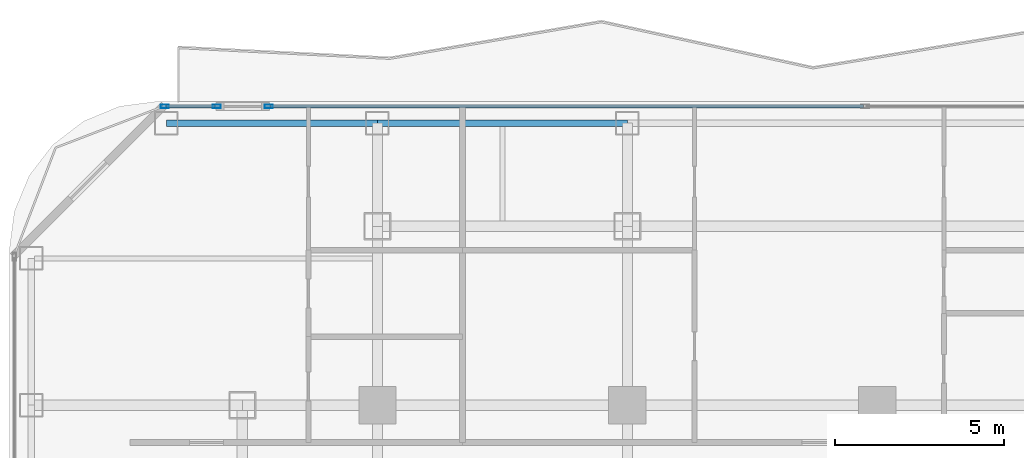
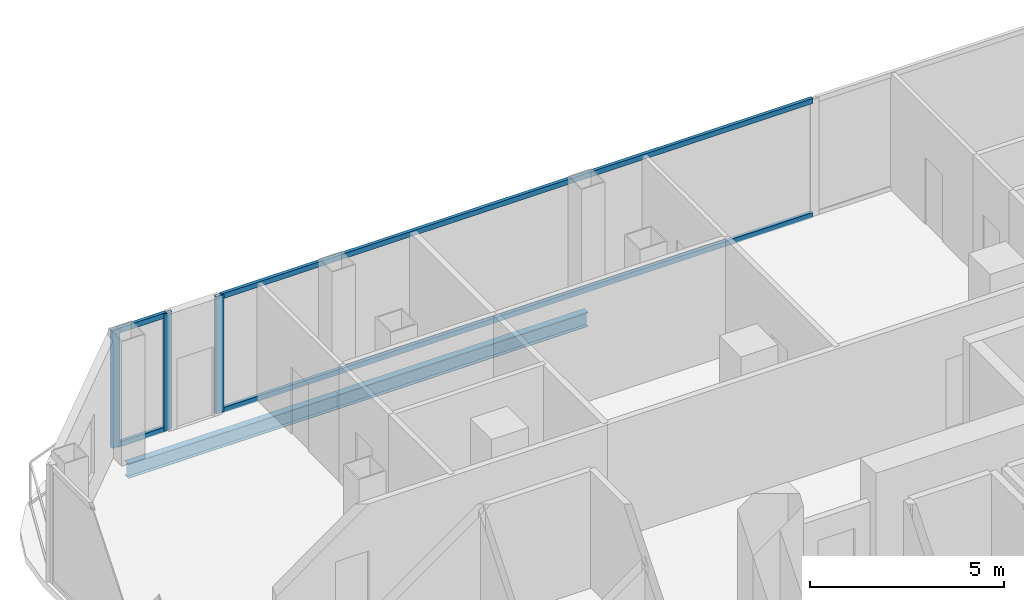
# One storey, part 13 of 26: 7 members, 2 beams, 2 elements without a shape of their own.
"""IFC4 building model written with IfcOpenShell, lengths in metres."""

from ifc_helpers import new_model, si_unit, direction, frame, origin, origin_2d, place, context, subcontext, project, spatial, hollow_rectangle, i_section, extrude, material, layer, layer_set, material_profile, profile_set, type_object, element, aggregate, save


model = new_model("IFC4")

# Units and contexts
model_context = context("Model", 3, precision=1e-05, world=origin(), true_north=direction((0.0, 1.0)))
body_context = subcontext(model_context, "Body", "Model", "MODEL_VIEW")
ifc_project = project(units=[si_unit("LENGTHUNIT", "METRE"), si_unit("AREAUNIT", "SQUARE_METRE"), si_unit("VOLUMEUNIT", "CUBIC_METRE"), si_unit("PLANEANGLEUNIT", "RADIAN"), si_unit("MASSUNIT", "GRAM", prefix="KILO")], contexts=[model_context])

# Site, building, storey
site_placement = place(None, origin())
site = spatial("IfcSite", under=ifc_project, at=site_placement, CompositionType="ELEMENT")
building_placement = place(site_placement, origin())
building = spatial("IfcBuilding", under=site, at=building_placement, Name="Khorvyn Point Tower", CompositionType="ELEMENT")
storey_placement = place(building_placement, frame((0.0, 0.0, 183.60009765625)))
storey = spatial("IfcBuildingStorey", under=building, at=storey_placement, Name="L45", CompositionType="ELEMENT", Elevation=183.60009765625)

# Curtain wall, members
ifc_material_1 = material(Name="Anodised aluminium 6063-T6 and laminated Low-E glass", Category="aluminium")
ifc_layer = layer(ifc_material_1, 0.18994140625)
ifc_layer_set = layer_set([ifc_layer], Name="Stick-Built Acoustic Curtain Wall CW-SYS-03")
curtain_wall_type = type_object("IfcCurtainWallType", Name="Stick-Built Acoustic Curtain Wall CW-SYS-03", PredefinedType="NOTDEFINED", material=ifc_layer_set)
curtain_wall_1_placement = place(storey_placement, origin())
curtain_wall_1 = element("IfcCurtainWall", 1, at=curtain_wall_1_placement, inside=storey, type_object=curtain_wall_type, Name="Curtain Wall", PredefinedType="NOTDEFINED")
ifc_material_2 = material(Name="Anodised aluminium 6063-T6", Category="aluminium")
ifc_material_profile_1 = material_profile(ifc_material_2, hollow_rectangle(XDim=0.10009765625, YDim=0.239990234375, WallThickness=0.0048828125, at=origin_2d()))
ifc_profile_set_1 = profile_set([ifc_material_profile_1], Name="Anodised aluminium 6063-T6 ALU-MUL-100x240")
member_type_1 = type_object("IfcMemberType", Name="Anodised Aluminium 6063-T6 Mullion ALU-MUL-100x240", PredefinedType="MULLION", material=ifc_profile_set_1)
member_1_placement = place(storey_placement, frame((-21.10009765625, 23.64990234375, 0.0), z_axis=(0.0, 0.0, 1.0), x_axis=(0.0, 1.0, 0.0)))
member_1 = element("IfcMember", 2, at=member_1_placement, type_object=member_type_1, Name="Transom", PredefinedType="MULLION", context=body_context, shape_type="SweptSolid", body=[
    extrude(hollow_rectangle(XDim=0.10009765625, YDim=0.239990234375, WallThickness=0.0048828125, at=origin_2d()), origin(), (0.0, 0.0, 1.0), 3.679931640625),
])
member_2_placement = place(storey_placement, frame((-19.55810546875, 23.64990234375, 0.0), z_axis=(0.0, 0.0, 1.0), x_axis=(0.0, 1.0, 0.0)))
member_2 = element("IfcMember", 3, at=member_2_placement, type_object=member_type_1, Name="Transom", PredefinedType="MULLION", context=body_context, shape_type="SweptSolid", body=[
    extrude(hollow_rectangle(XDim=0.10009765625, YDim=0.239990234375, WallThickness=0.0048828125, at=origin_2d()), origin(), (0.0, 0.0, 1.0), 3.679931640625),
])

# Curtain wall, member
curtain_wall_2_placement = place(storey_placement, origin())
curtain_wall_2 = element("IfcCurtainWall", 4, at=curtain_wall_2_placement, inside=storey, type_object=curtain_wall_type, Name="Curtain Wall", PredefinedType="NOTDEFINED")
member_3_placement = place(storey_placement, frame((-18.01806640625, 23.64990234375, 0.0), z_axis=(0.0, 0.0, 1.0), x_axis=(0.0, 1.0, 0.0)))
member_3 = element("IfcMember", 5, at=member_3_placement, type_object=member_type_1, Name="Transom", PredefinedType="MULLION", context=body_context, shape_type="SweptSolid", body=[
    extrude(hollow_rectangle(XDim=0.10009765625, YDim=0.239990234375, WallThickness=0.0048828125, at=origin_2d()), origin(), (0.0, 0.0, 1.0), 3.679931640625),
])

# Member
ifc_material_profile_2 = material_profile(ifc_material_2, hollow_rectangle(XDim=0.10009765625, YDim=0.159912109375, WallThickness=0.00439453125, at=origin_2d()))
ifc_profile_set_2 = profile_set([ifc_material_profile_2], Name="Anodised aluminium 6063-T6 ALU-TRN-100x160")
member_type_2 = type_object("IfcMemberType", Name="Anodised Aluminium 6063-T6 Transom ALU-TRN-100x160", PredefinedType="USERDEFINED", material=ifc_profile_set_2)
member_4_placement = place(storey_placement, frame((-21.050048828125, 23.64990234375, 0.0498046875), z_axis=(1.0, 0.0, 0.0), x_axis=(0.0, 1.0, 0.0)))
member_4 = element("IfcMember", 6, at=member_4_placement, type_object=member_type_2, Name="Transom", ObjectType="TRANSOM", PredefinedType="USERDEFINED", context=body_context, shape_type="SweptSolid", body=[
    extrude(hollow_rectangle(XDim=0.10009765625, YDim=0.159912109375, WallThickness=0.00439453125, at=origin_2d()), origin(), (0.0, 0.0, 1.0), 1.442138671875),
])

member_5_placement = place(storey_placement, frame((-21.050048828125, 23.64990234375, 3.6298828125), z_axis=(1.0, 0.0, 0.0), x_axis=(0.0, 1.0, 0.0)))
member_5 = element("IfcMember", 7, at=member_5_placement, type_object=member_type_2, Name="Transom", ObjectType="TRANSOM", PredefinedType="USERDEFINED", context=body_context, shape_type="SweptSolid", body=[
    extrude(hollow_rectangle(XDim=0.10009765625, YDim=0.159912109375, WallThickness=0.00439453125, at=origin_2d()), origin(), (0.0, 0.0, 1.0), 1.442138671875),
])

aggregate(curtain_wall_1, [member_1, member_2, member_4, member_5])

member_6_placement = place(storey_placement, frame((-17.968017578125, 23.64990234375, 0.0498046875), z_axis=(1.0, 0.0, 0.0), x_axis=(0.0, 1.0, 0.0)))
member_6 = element("IfcMember", 8, at=member_6_placement, type_object=member_type_2, Name="Transom", ObjectType="TRANSOM", PredefinedType="USERDEFINED", context=body_context, shape_type="SweptSolid", body=[
    extrude(hollow_rectangle(XDim=0.10009765625, YDim=0.159912109375, WallThickness=0.00439453125, at=origin_2d()), origin(), (0.0, 0.0, 1.0), 17.55908203125),
])

member_7_placement = place(storey_placement, frame((-17.968017578125, 23.64990234375, 3.6298828125), z_axis=(1.0, 0.0, 0.0), x_axis=(0.0, 1.0, 0.0)))
member_7 = element("IfcMember", 9, at=member_7_placement, type_object=member_type_2, Name="Transom", ObjectType="TRANSOM", PredefinedType="USERDEFINED", context=body_context, shape_type="SweptSolid", body=[
    extrude(hollow_rectangle(XDim=0.10009765625, YDim=0.159912109375, WallThickness=0.00439453125, at=origin_2d()), origin(), (0.0, 0.0, 1.0), 17.55908203125),
])

aggregate(curtain_wall_2, [member_3, member_6, member_7])

# Beams
ifc_material_3 = material(Name="Steel S355", Category="steel")
ifc_material_profile_3 = material_profile(ifc_material_3, i_section(OverallWidth=0.199951171875, OverallDepth=0.449951171875, WebThickness=0.009033203125, FlangeThickness=0.013916015625, at=origin_2d()))
ifc_profile_set_3 = profile_set([ifc_material_profile_3], Name="Steel S355 H450x200x9x14")
beam_type = type_object("IfcBeamType", Name="Steel S355 Spandrel H450x200x9x14", PredefinedType="SPANDREL", material=ifc_profile_set_3)
beam_1_placement = place(storey_placement, frame((-21.050048828125, 23.14990234375, -0.445068359375), z_axis=(1.0, 0.0, 0.0), x_axis=(0.0, 1.0, 0.0)))
element("IfcBeam", 10, at=beam_1_placement, inside=storey, type_object=beam_type, Name="Beam", PredefinedType="SPANDREL", context=body_context, shape_type="SweptSolid", body=[
    extrude(i_section(OverallWidth=0.199951171875, OverallDepth=0.449951171875, WebThickness=0.009033203125, FlangeThickness=0.013916015625, at=origin_2d()), origin(), (0.0, 0.0, 1.0), 6.25),
])
beam_2_placement = place(storey_placement, frame((-14.800048828125, 23.14990234375, -0.445068359375), z_axis=(1.0, 0.0, 0.0), x_axis=(0.0, 1.0, 0.0)))
element("IfcBeam", 11, at=beam_2_placement, inside=storey, type_object=beam_type, Name="Beam", PredefinedType="SPANDREL", context=body_context, shape_type="SweptSolid", body=[
    extrude(i_section(OverallWidth=0.199951171875, OverallDepth=0.449951171875, WebThickness=0.009033203125, FlangeThickness=0.013916015625, at=origin_2d()), origin(), (0.0, 0.0, 1.0), 7.400146484375),
])

save(model, "model.ifc")
